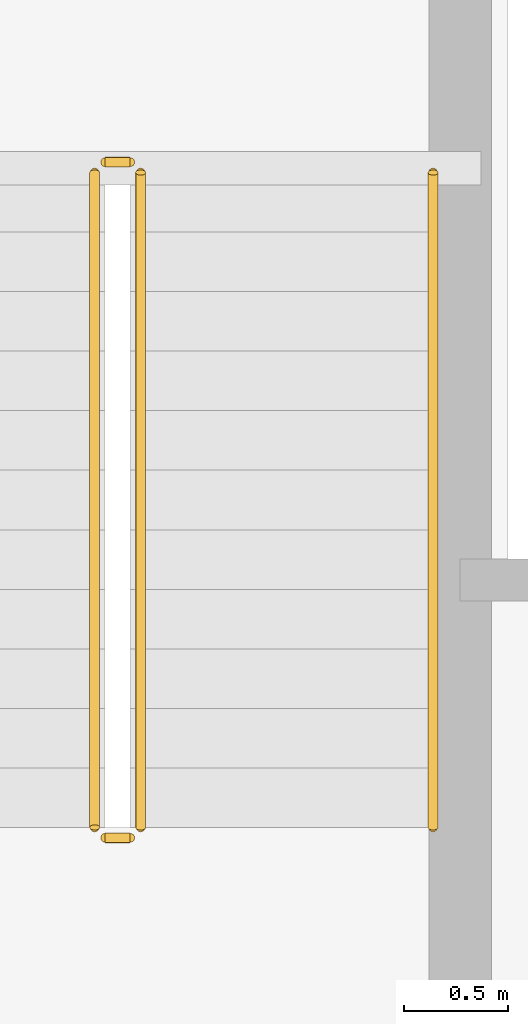
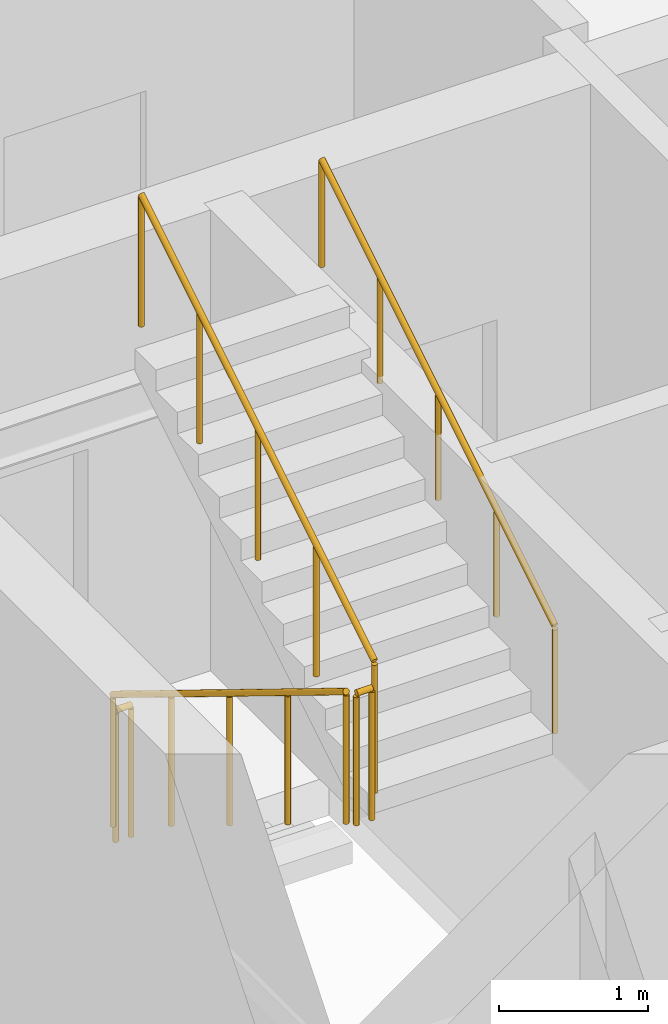
# One storey, part 23 of 24: 5 railings.
"""IFC4 building model written with IfcOpenShell, lengths in metres."""

from ifc_helpers import new_model, si_unit, direction, frame, origin, origin_2d, place, context, subcontext, project, spatial, circle, extrude, material, type_object, element, save


model = new_model("IFC4")

# Units and contexts
model_context = context("Model", 3, precision=1e-05, world=origin(), true_north=direction((0.0, 1.0)))
body_context = subcontext(model_context, "Body", "Model", "MODEL_VIEW")
ifc_project = project(units=[si_unit("LENGTHUNIT", "METRE"), si_unit("AREAUNIT", "SQUARE_METRE"), si_unit("VOLUMEUNIT", "CUBIC_METRE"), si_unit("PLANEANGLEUNIT", "RADIAN"), si_unit("MASSUNIT", "GRAM", prefix="KILO")], contexts=[model_context])

# Site, building, storey
site_placement = place(None, origin())
site = spatial("IfcSite", under=ifc_project, at=site_placement, CompositionType="ELEMENT")
building_placement = place(site_placement, origin())
building = spatial("IfcBuilding", under=site, at=building_placement, Name="Qobustan Lattice House", CompositionType="ELEMENT")
storey_placement = place(building_placement, frame((0.0, 0.0, 261.800048828125)))
storey = spatial("IfcBuildingStorey", under=building, at=storey_placement, Name="L74", CompositionType="ELEMENT", Elevation=261.800048828125)

# Railings
ifc_material_1 = material(Name="Brushed stainless steel handrail", Category="steel")
railing_type_1 = type_object("IfcRailingType", Name="RAL-HR-920", PredefinedType="HANDRAIL", material=ifc_material_1)
railing_1_placement = place(storey_placement, frame((-15.179931640625, 0.364990234375, 2.27490234375)))
element("IfcRailing", 1, at=railing_1_placement, inside=storey, type_object=railing_type_1, Name="L74 ST-W1 stair handrail 2", PredefinedType="HANDRAIL", context=body_context, shape_type="SweptSolid", body=[
    extrude(circle(Radius=0.02392578125, at=origin_2d()), frame((0.0, 0.0, 0.8759765625), z_axis=(0.0, 0.852166034122, 0.523271488128), x_axis=(-1.0, 0.0, 0.0)), (0.0, 0.0, 1.0), 3.678955078125),
    extrude(circle(Radius=0.02099609375, at=origin_2d()), origin(), (0.0, 0.0, 1.0), 0.851806640625),
    extrude(circle(Radius=0.02099609375, at=origin_2d()), frame((0.0, 0.78369140625, 0.481201171875)), (0.0, 0.0, 1.0), 0.851806640625),
    extrude(circle(Radius=0.02099609375, at=origin_2d()), frame((0.0, 1.5673828125, 0.96240234375)), (0.0, 0.0, 1.0), 0.851806640625),
    extrude(circle(Radius=0.02099609375, at=origin_2d()), frame((0.0, 2.351318359375, 1.44384765625)), (0.0, 0.0, 1.0), 0.851806640625),
    extrude(circle(Radius=0.02099609375, at=origin_2d()), frame((0.0, 3.135009765625, 1.925048828125)), (0.0, 0.0, 1.0), 0.851806640625),
])
ifc_material_2 = material(Name="Painted galvanized steel guardrail", Category="steel")
railing_type_2 = type_object("IfcRailingType", Name="RAL-STG-1150", PredefinedType="GUARDRAIL", material=ifc_material_2)
railing_2_placement = place(storey_placement, frame((-16.800048828125, 3.5, 0.175048828125)))
element("IfcRailing", 2, at=railing_2_placement, inside=storey, type_object=railing_type_2, Name="L74 ST-W1 stair guard 1", PredefinedType="GUARDRAIL", context=body_context, shape_type="SweptSolid", body=[
    extrude(circle(Radius=0.02392578125, at=origin_2d()), frame((0.0, 0.0, 1.076171875), z_axis=(0.0, -0.852195625947, 0.523223293744), x_axis=(1.0, 0.0, 0.0)), (0.0, 0.0, 1.0), 3.6787109375),
    extrude(circle(Radius=0.02099609375, at=origin_2d()), origin(), (0.0, 0.0, 1.0), 1.052001953125),
    extrude(circle(Radius=0.02099609375, at=origin_2d()), frame((0.0, -0.78369140625, 0.481201171875)), (0.0, 0.0, 1.0), 1.052001953125),
    extrude(circle(Radius=0.02099609375, at=origin_2d()), frame((0.0, -1.5673828125, 0.96240234375)), (0.0, 0.0, 1.0), 1.052001953125),
    extrude(circle(Radius=0.02099609375, at=origin_2d()), frame((0.0, -2.351318359375, 1.443603515625)), (0.0, 0.0, 1.0), 1.052001953125),
    extrude(circle(Radius=0.02099609375, at=origin_2d()), frame((0.0, -3.135009765625, 1.9248046875)), (0.0, 0.0, 1.0), 1.052001953125),
])
railing_3_placement = place(storey_placement, frame((-16.75, 0.31494140625, 2.099853515625)))
element("IfcRailing", 3, at=railing_3_placement, inside=storey, type_object=railing_type_2, Name="L74 ST-W1 stair guard 2", PredefinedType="GUARDRAIL", context=body_context, shape_type="SweptSolid", body=[
    extrude(circle(Radius=0.02392578125, at=origin_2d()), frame((0.0, 0.0, 1.076171875), z_axis=(1.0, 0.0, 0.0), x_axis=(0.0, 1.0, 0.0)), (0.0, 0.0, 1.0), 0.1201171875),
    extrude(circle(Radius=0.02099609375, at=origin_2d()), origin(), (0.0, 0.0, 1.0), 1.052001953125),
    extrude(circle(Radius=0.02099609375, at=origin_2d()), frame((0.1201171875, 0.0, 0.0)), (0.0, 0.0, 1.0), 1.052001953125),
])
railing_4_placement = place(storey_placement, frame((-16.580078125, 0.364990234375, 2.27490234375)))
element("IfcRailing", 4, at=railing_4_placement, inside=storey, type_object=railing_type_2, Name="L74 ST-W1 stair guard 3", PredefinedType="GUARDRAIL", context=body_context, shape_type="SweptSolid", body=[
    extrude(circle(Radius=0.02392578125, at=origin_2d()), frame((0.0, 0.0, 1.076171875), z_axis=(0.0, 0.852166034122, 0.523271488128), x_axis=(-1.0, 0.0, 0.0)), (0.0, 0.0, 1.0), 3.678955078125),
    extrude(circle(Radius=0.02099609375, at=origin_2d()), origin(), (0.0, 0.0, 1.0), 1.052001953125),
    extrude(circle(Radius=0.02099609375, at=origin_2d()), frame((0.0, 0.78369140625, 0.481201171875)), (0.0, 0.0, 1.0), 1.052001953125),
    extrude(circle(Radius=0.02099609375, at=origin_2d()), frame((0.0, 1.5673828125, 0.96240234375)), (0.0, 0.0, 1.0), 1.052001953125),
    extrude(circle(Radius=0.02099609375, at=origin_2d()), frame((0.0, 2.351318359375, 1.44384765625)), (0.0, 0.0, 1.0), 1.052001953125),
    extrude(circle(Radius=0.02099609375, at=origin_2d()), frame((0.0, 3.135009765625, 1.925048828125)), (0.0, 0.0, 1.0), 1.052001953125),
])
railing_5_placement = place(storey_placement, frame((-16.75, 3.550048828125, 0.0)))
element("IfcRailing", 5, at=railing_5_placement, inside=storey, type_object=railing_type_2, Name="L74 ST-W1 stair guard 4", PredefinedType="GUARDRAIL", context=body_context, shape_type="SweptSolid", body=[
    extrude(circle(Radius=0.02392578125, at=origin_2d()), frame((0.0, 0.0, 1.076171875), z_axis=(1.0, 0.0, 0.0), x_axis=(0.0, 1.0, 0.0)), (0.0, 0.0, 1.0), 0.1201171875),
    extrude(circle(Radius=0.02099609375, at=origin_2d()), origin(), (0.0, 0.0, 1.0), 1.052001953125),
    extrude(circle(Radius=0.02099609375, at=origin_2d()), frame((0.1201171875, 0.0, 0.0)), (0.0, 0.0, 1.0), 1.052001953125),
])

save(model, "model.ifc")
